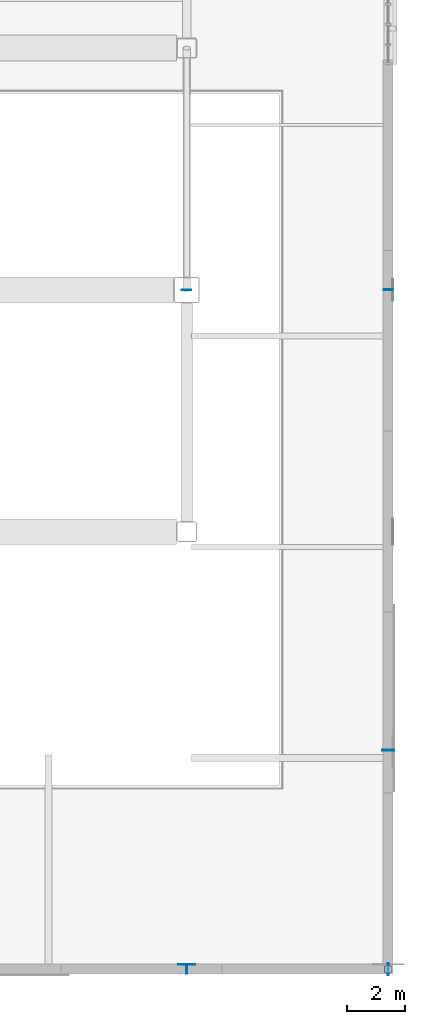
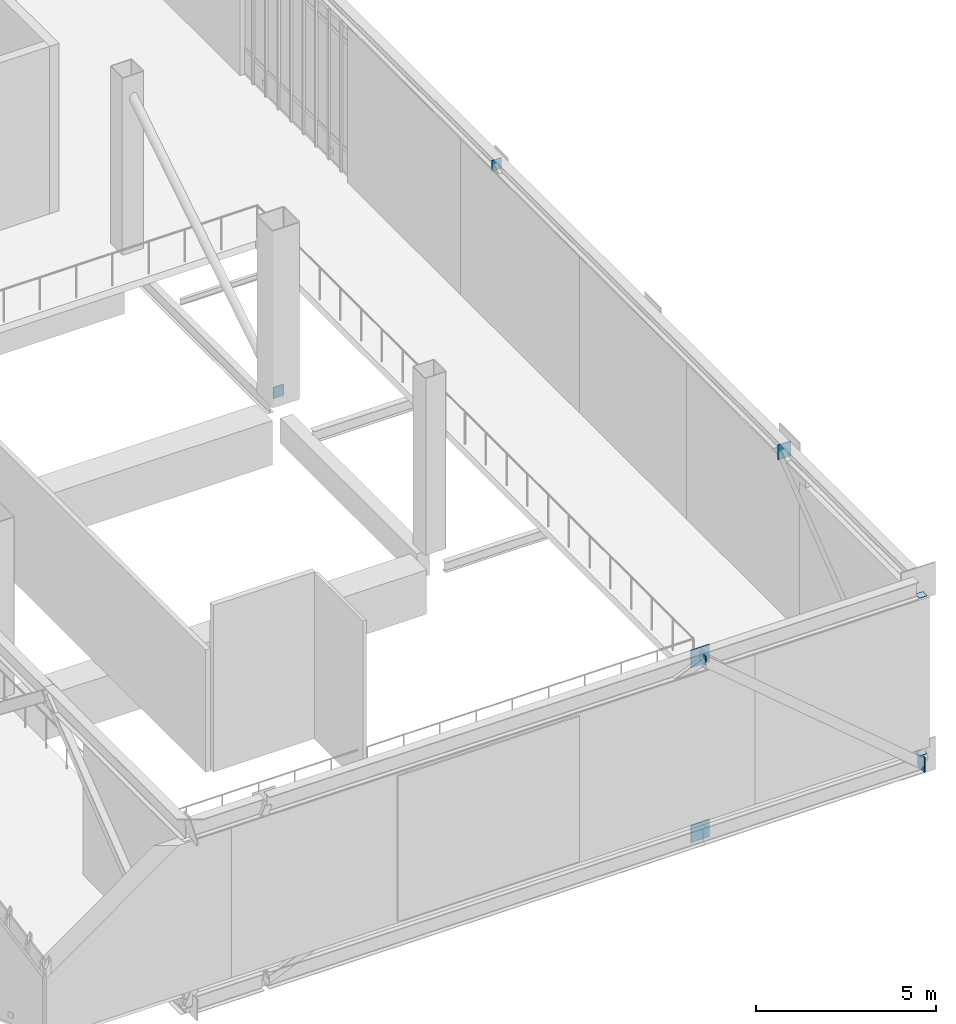
# One storey, part 103 of 135: 9 plates.
"""IFC4 building model written with IfcOpenShell, lengths in metres."""

from ifc_helpers import new_model, si_unit, direction, frame, origin, origin_2d, place, context, subcontext, project, spatial, rectangle, extrude, material, layer, layer_set, type_object, element, save


model = new_model("IFC4")

# Units and contexts
model_context = context("Model", 3, precision=1e-05, world=origin(), true_north=direction((0.0, 1.0)))
body_context = subcontext(model_context, "Body", "Model", "MODEL_VIEW")
ifc_project = project(units=[si_unit("LENGTHUNIT", "METRE"), si_unit("AREAUNIT", "SQUARE_METRE"), si_unit("VOLUMEUNIT", "CUBIC_METRE"), si_unit("PLANEANGLEUNIT", "RADIAN"), si_unit("MASSUNIT", "GRAM", prefix="KILO")], contexts=[model_context])

# Site, building, storey
site_placement = place(None, origin())
site = spatial("IfcSite", under=ifc_project, at=site_placement, CompositionType="ELEMENT")
building_placement = place(site_placement, origin())
building = spatial("IfcBuilding", under=site, at=building_placement, Name="Larkvane Passage Sports Hall", CompositionType="ELEMENT")
storey_placement = place(building_placement, frame((0.0, 0.0, 10.800048828125)))
storey = spatial("IfcBuildingStorey", under=building, at=storey_placement, Name="L02", CompositionType="ELEMENT", Elevation=10.800048828125)

# Plates
ifc_material_1 = material(Name="Steel S355JR", Category="steel")
ifc_layer_1 = layer(ifc_material_1, 0.011962890625)
ifc_layer_set_1 = layer_set([ifc_layer_1], Name="Steel S355JR")
plate_type_1 = type_object("IfcPlateType", Name="PLT-CAP-12", PredefinedType="SHEET", material=ifc_layer_set_1)
plate_1_placement = place(storey_placement, frame((145.60546875, 7.60009765625, 5.22216796875), z_axis=(0.0, 0.0, 1.0), x_axis=(0.0, 1.0, 0.0)))
element("IfcPlate", 1, at=plate_1_placement, inside=storey, type_object=plate_type_1, Name="Hollow section sealed end cap plate 0169", PredefinedType="SHEET", context=body_context, shape_type="SweptSolid", body=[
    extrude(rectangle(XDim=0.31005859375, YDim=0.028076171875, at=origin_2d()), origin(), (0.0, 0.0, 1.0), 0.33203125),
])
for number, where, z_axis, x_axis, name in (
    (2, (152.60009765625, 7.60009765625, -0.26220703125), (0.0, 0.0, 1.0), (1.0, 0.0, 0.0), "Hollow section sealed end cap plate 0171"),
    (3, (152.60009765625, 7.60009765625, 5.091796875), (0.0, 0.0, 1.0), (1.0, 0.0, 0.0), "Hollow section sealed end cap plate 0172"),
):
    element("IfcPlate", number, at=place(storey_placement, frame(where, z_axis=z_axis, x_axis=x_axis)), inside=storey, type_object=plate_type_1, Name=name, PredefinedType="SHEET", context=body_context, shape_type="SweptSolid", body=[
        extrude(rectangle(XDim=0.239990234375, YDim=0.239990234375, at=origin_2d()), origin(), (0.0, 0.0, 1.0), 0.011962890625),
    ])
plate_2_placement = place(storey_placement, frame((152.60009765625, 31.204833984375, 5.20654296875), z_axis=(0.0, 0.0, 1.0), x_axis=(-1.0, 0.0, 0.0)))
element("IfcPlate", 4, at=plate_2_placement, inside=storey, type_object=plate_type_1, Name="Hollow section sealed end cap plate 0211", PredefinedType="SHEET", context=body_context, shape_type="SweptSolid", body=[
    extrude(rectangle(XDim=0.31005859375, YDim=0.028076171875, at=origin_2d()), origin(), (0.0, 0.0, 1.0), 0.365966796875),
])
plate_3_placement = place(storey_placement, frame((145.60009765625, 31.19482421875, -0.041259765625), z_axis=(0.0, 0.0, 1.0), x_axis=(-1.0, 0.0, 0.0)))
element("IfcPlate", 5, at=plate_3_placement, inside=storey, type_object=plate_type_1, Name="Hollow section sealed end cap plate 0584", PredefinedType="SHEET", context=body_context, shape_type="SweptSolid", body=[
    extrude(rectangle(XDim=0.326904296875, YDim=0.028076171875, at=origin_2d()), origin(), (0.0, 0.0, 1.0), 0.3759765625),
])
ifc_material_2 = material(Name="Steel S460N", Category="steel")
ifc_layer_2 = layer(ifc_material_2, 0.02001953125)
ifc_layer_set_2 = layer_set([ifc_layer_2], Name="Steel S460N")
plate_type_2 = type_object("IfcPlateType", Name="PLT-CAP-20", PredefinedType="SHEET", material=ifc_layer_set_2)
plate_4_placement = place(storey_placement, frame((152.607666015625, 7.60009765625, -0.81005859375), z_axis=(0.0, 0.0, 1.0), x_axis=(0.0, 1.0, 0.0)))
element("IfcPlate", 6, at=plate_4_placement, inside=storey, type_object=plate_type_2, Name="Hollow section sealed end cap plate 0170", PredefinedType="SHEET", context=body_context, shape_type="SweptSolid", body=[
    extrude(rectangle(XDim=0.409912109375, YDim=0.028076171875, at=origin_2d()), origin(), (0.0, 0.0, 1.0), 0.51904296875),
])
plate_5_placement = place(storey_placement, frame((152.60009765625, 15.2080078125, 5.14013671875), z_axis=(0.0, 0.0, 1.0), x_axis=(-1.0, 0.0, 0.0)))
element("IfcPlate", 7, at=plate_5_placement, inside=storey, type_object=plate_type_2, Name="Hollow section sealed end cap plate 0210", PredefinedType="SHEET", context=body_context, shape_type="SweptSolid", body=[
    extrude(rectangle(XDim=0.409912109375, YDim=0.028076171875, at=origin_2d()), origin(), (0.0, 0.0, 1.0), 0.50390625),
])
ifc_layer_3 = layer(ifc_material_2, 0.01611328125)
ifc_layer_set_3 = layer_set([ifc_layer_3], Name="Steel S460N")
plate_type_3 = type_object("IfcPlateType", Name="PLT-GUS-16", PredefinedType="USERDEFINED", material=ifc_layer_set_3)
for number, where, z_axis, x_axis, name in (
    (8, (145.60009765625, 7.758056640625, -0.843994140625), (0.0, 0.0, 1.0), (1.0, 0.0, 0.0), "Truss node gusset plate ND-2B (CT-E2A-1)"),
    (9, (145.60009765625, 7.758056640625, 5.0859375), (0.0, 0.0, 1.0), (1.0, 0.0, 0.0), "Truss node gusset plate ND-2T (CT-E2A-1)"),
):
    element("IfcPlate", number, at=place(storey_placement, frame(where, z_axis=z_axis, x_axis=x_axis)), inside=storey, type_object=plate_type_3, Name=name, ObjectType="GUSSET PLATE", PredefinedType="USERDEFINED", context=body_context, shape_type="SweptSolid", body=[
        extrude(rectangle(XDim=0.60009765625, YDim=0.01611328125, at=origin_2d()), origin(), (0.0, 0.0, 1.0), 0.60009765625),
    ])

save(model, "model.ifc")
